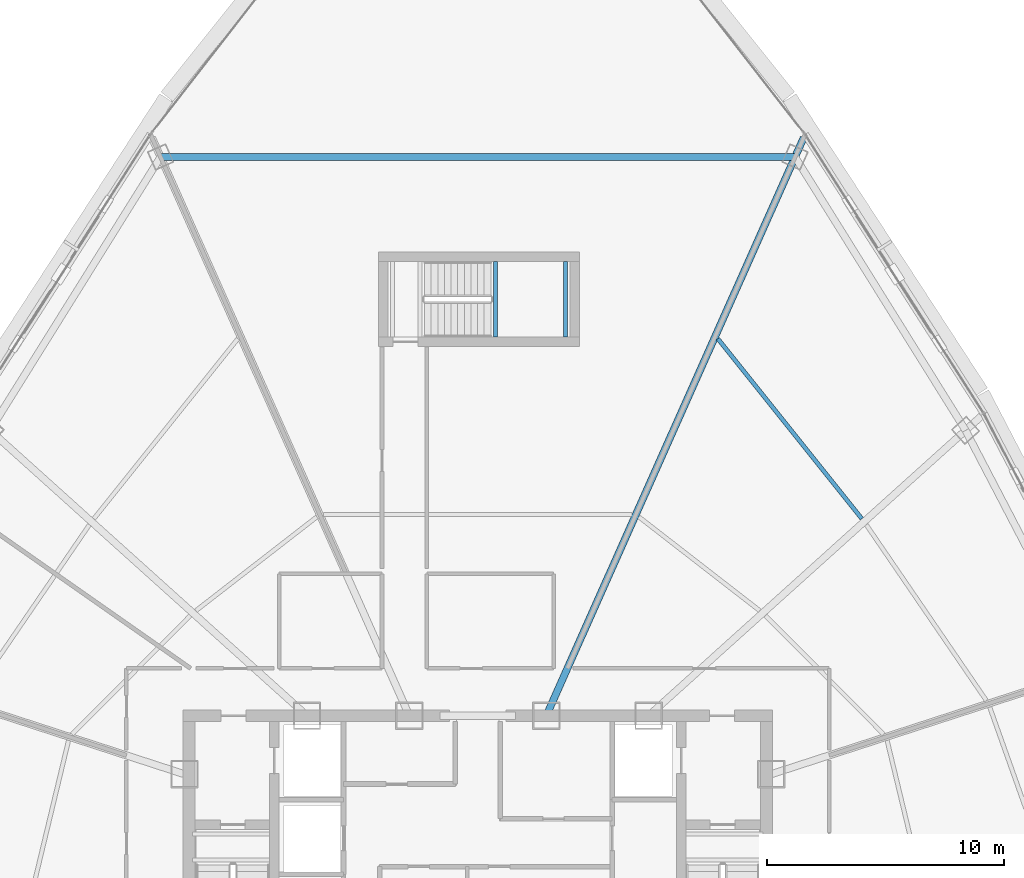
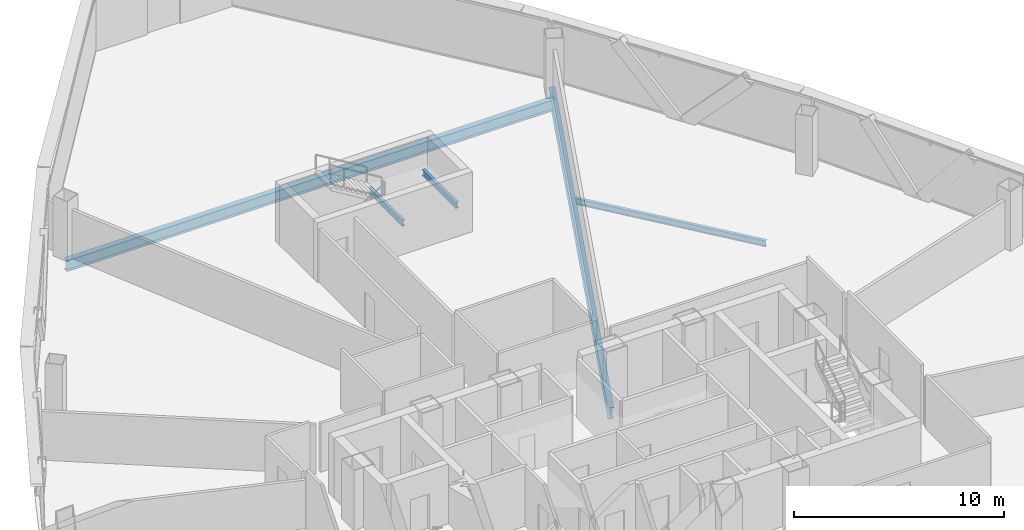
# One storey, part 21 of 36: 5 beams.
"""IFC4 building model written with IfcOpenShell, lengths in metres."""

from ifc_helpers import new_model, si_unit, direction, frame, origin, origin_2d, place, context, subcontext, project, spatial, i_section, extrude, source, transform, mapped, material, material_profile, profile_set, type_object, element, save


model = new_model("IFC4")

# Units and contexts
model_context = context("Model", 3, precision=1e-05, world=origin(), true_north=direction((0.0, 1.0)))
body_context = subcontext(model_context, "Body", "Model", "MODEL_VIEW")
ifc_project = project(units=[si_unit("LENGTHUNIT", "METRE"), si_unit("AREAUNIT", "SQUARE_METRE"), si_unit("VOLUMEUNIT", "CUBIC_METRE"), si_unit("PLANEANGLEUNIT", "RADIAN"), si_unit("MASSUNIT", "GRAM", prefix="KILO"), si_unit("THERMODYNAMICTEMPERATUREUNIT", "KELVIN"), si_unit("POWERUNIT", "WATT")], contexts=[model_context])

# Site, building, storey
site_placement = place(None, origin())
site = spatial("IfcSite", under=ifc_project, at=site_placement, CompositionType="ELEMENT")
building_placement = place(site_placement, origin())
building = spatial("IfcBuilding", under=site, at=building_placement, Name="Yunzhuo Pagoda Commons", CompositionType="ELEMENT")
storey_placement = place(building_placement, frame((0.0, 0.0, 263.179931640625)))
storey = spatial("IfcBuildingStorey", under=building, at=storey_placement, Name="L66", CompositionType="ELEMENT", Elevation=263.179931640625)

# Beams
ifc_material = material(Name="Structural steel Q355B", Category="steel")
ifc_material_profile_1 = material_profile(ifc_material, i_section(OverallWidth=0.175048828125, OverallDepth=0.35009765625, WebThickness=0.007080078125, FlangeThickness=0.010986328125, at=origin_2d()), Name="Structural steel Q355B")
ifc_profile_set_1 = profile_set([ifc_material_profile_1], Name="Structural steel Q355B")
beam_type_1 = type_object("IfcBeamType", Name="B-JS2 Joist HN 350x175x7x11", PredefinedType="JOIST", material=ifc_profile_set_1)
shared_shape_1 = source(origin(), body_context, "Body", "SweptSolid", [
    extrude(i_section(OverallWidth=0.175048828125, OverallDepth=0.35009765625, WebThickness=0.007080078125, FlangeThickness=0.010986328125, at=origin_2d()), origin(), (0.0, 0.0, 1.0), 3.199951171875),
])
for number, where, z_axis, x_axis, name in (
    (1, (48.75, 56.199951171875, 1.489990234375), (0.0, 1.0, 0.0), (-1.0, 0.0, 0.0), "L66 ST3 landing support beam 72A"),
    (2, (51.699951171875, 56.199951171875, 1.489990234375), (0.0, 1.0, 0.0), (-1.0, 0.0, 0.0), "L66 ST3 landing support beam 72B"),
):
    element("IfcBeam", number, at=place(storey_placement, frame(where, z_axis=z_axis, x_axis=x_axis)), inside=storey, type_object=beam_type_1, Name=name, PredefinedType="JOIST", context=body_context, shape_type="MappedRepresentation", body=[
        mapped(shared_shape_1, transform((0.0, 0.0, 0.0), scale=1.0)),
    ])
ifc_material_profile_2 = material_profile(ifc_material, i_section(OverallWidth=0.300048828125, OverallDepth=0.64990234375, WebThickness=0.012939453125, FlangeThickness=0.02197265625, at=origin_2d()), Name="Structural steel Q355B")
ifc_profile_set_2 = profile_set([ifc_material_profile_2], Name="Structural steel Q355B")
beam_type_2 = type_object("IfcBeamType", Name="B-RG2 Beam HN 650x300x13x22", PredefinedType="BEAM", material=ifc_profile_set_2)
shared_shape_2 = source(origin(), body_context, "Body", "SweptSolid", [
    extrude(i_section(OverallWidth=0.300048828125, OverallDepth=0.64990234375, WebThickness=0.012939453125, FlangeThickness=0.02197265625, at=origin_2d()), origin(), (0.0, 0.0, 1.0), 26.8134765625),
])
beam_1_placement = place(storey_placement, frame((61.40673828125, 63.81201171875, -0.5849609375), z_axis=(-1.0, 0.0, 0.0), x_axis=(0.0, -1.0, 0.0)))
element("IfcBeam", 3, at=beam_1_placement, inside=storey, type_object=beam_type_2, Name="L66 column-ring beam 8", PredefinedType="BEAM", context=body_context, shape_type="MappedRepresentation", body=[
    mapped(shared_shape_2, transform((0.0, 0.0, 0.0), scale=1.0)),
])
shared_shape_3 = source(origin(), body_context, "Body", "SweptSolid", [
    extrude(i_section(OverallWidth=0.175048828125, OverallDepth=0.35009765625, WebThickness=0.007080078125, FlangeThickness=0.010986328125, at=origin_2d()), origin(), (0.0, 0.0, 1.0), 9.741455078125),
])
beam_2_placement = place(storey_placement, frame((64.226806640625, 48.5244140625, -0.434814453125), z_axis=(-0.624618636222, 0.780929932378, 0.0), x_axis=(-0.780929932378, -0.624618636222, 0.0)))
element("IfcBeam", 4, at=beam_2_placement, inside=storey, type_object=beam_type_1, Name="L66 composite ring joist 2.7", PredefinedType="JOIST", context=body_context, shape_type="MappedRepresentation", body=[
    mapped(shared_shape_3, transform((0.0, 0.0, 0.0), scale=1.0)),
])
shared_shape_4 = source(origin(), body_context, "Body", "SweptSolid", [
    extrude(i_section(OverallWidth=0.300048828125, OverallDepth=0.64990234375, WebThickness=0.012939453125, FlangeThickness=0.02197265625, at=origin_2d()), origin(), (0.0, 0.0, 1.0), 26.74169921875),
])
beam_3_placement = place(storey_placement, frame((61.770751953125, 64.629638671875, -0.5849609375), z_axis=(-0.40673387601, -0.913546689615, 0.0), x_axis=(0.913546689615, -0.40673387601, 0.0)))
element("IfcBeam", 5, at=beam_3_placement, inside=storey, type_object=beam_type_2, Name="L66 radial floor girder F2C4", PredefinedType="BEAM", context=body_context, shape_type="MappedRepresentation", body=[
    mapped(shared_shape_4, transform((0.0, 0.0, 0.0), scale=1.0)),
])

save(model, "model.ifc")
